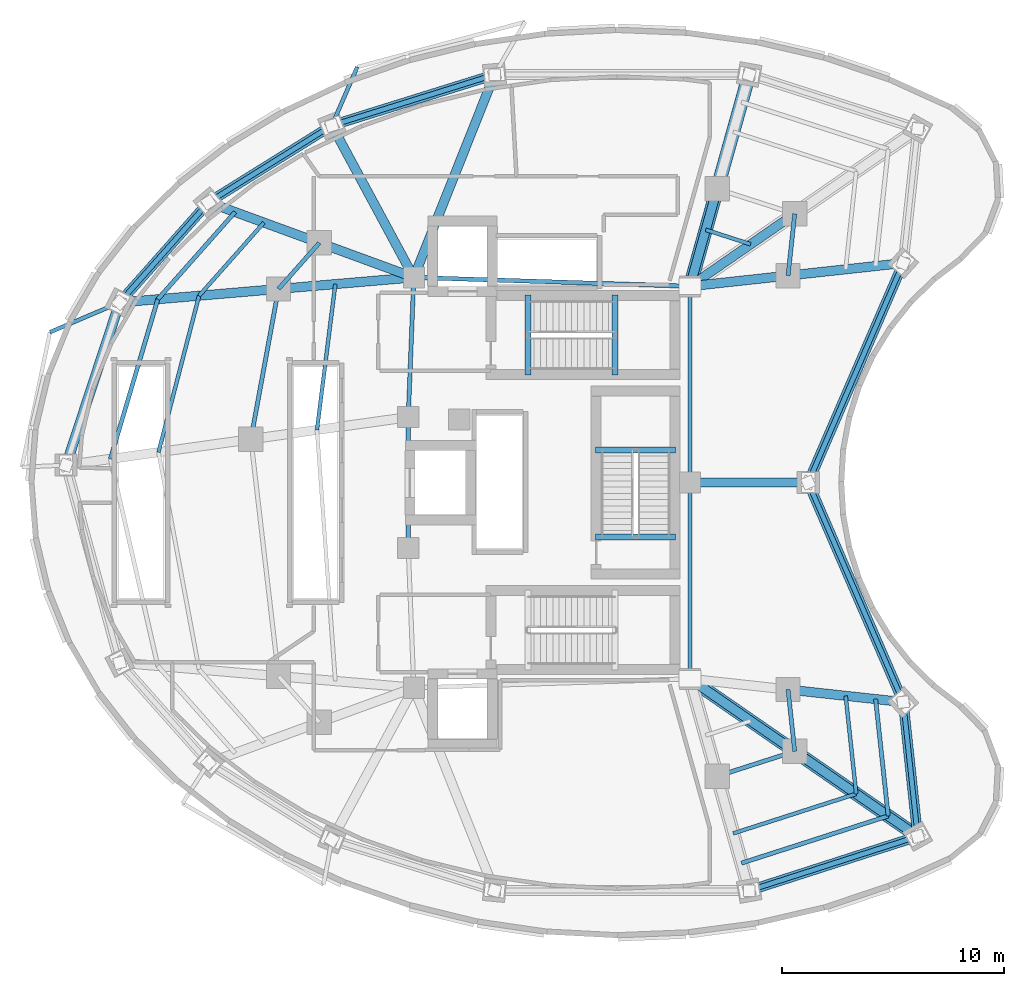
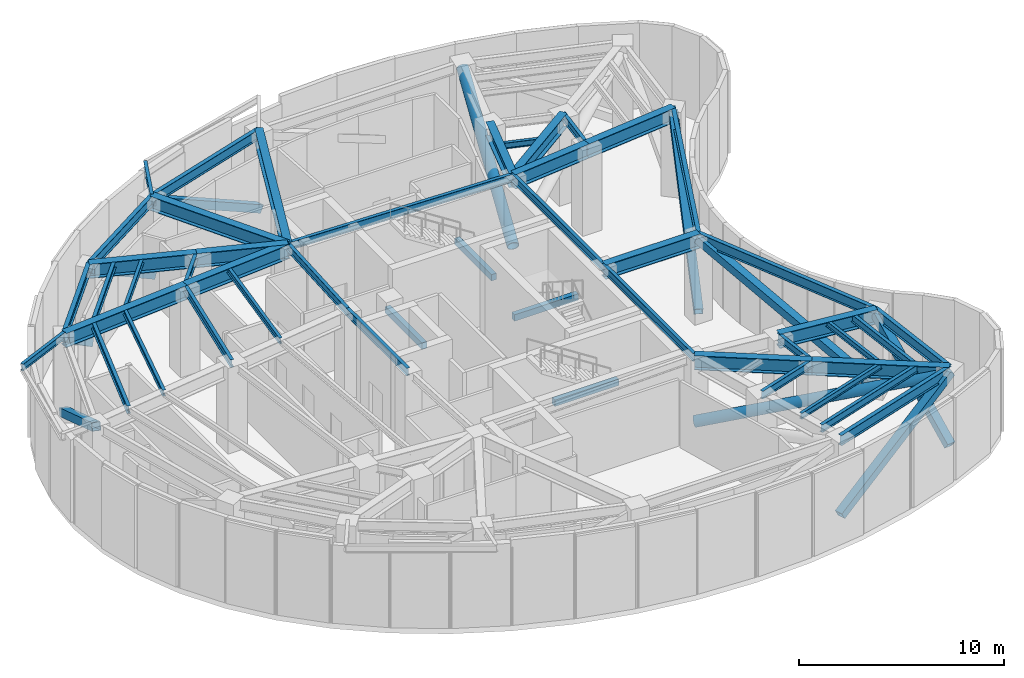
# One storey, part 2 of 10: 47 beams, 10 members.
"""IFC4 building model written with IfcOpenShell, lengths in metres."""

import ifcopenshell
import ifcopenshell.guid

model = None  # the IFC model being written
_history = None  # IfcOwnerHistory: only IFC2X3 demands one
_inside = {}  # id of a spatial element -> (the spatial element, [elements in it])
_under = {}  # id of a project, library or spatial element -> (it, [spatial elements below it])
_declared = {}  # id of a project -> (the project, [libraries it declares])
_typed = {}  # id of a type object -> (the type object, [elements of that type])
_made_of = {}  # id of a material, layer set ... -> (it, [elements and type objects made of it])


def new_model(schema):
    """Start an empty IFC model of exactly this schema.

    Asked for "IFC4X3", IfcOpenShell would pick the latest addendum, in which some entities
    have other attributes; the version numbers below select the first issue.
    IFC2X3 requires an IfcOwnerHistory on every rooted entity: one is made here for all.
    """
    global model, _history
    if schema == "IFC4X3":
        model = ifcopenshell.file(schema_version=(4, 3, 0, 0))
    else:
        model = ifcopenshell.file(schema=schema)
    _inside.clear()
    _under.clear()
    _declared.clear()
    _typed.clear()
    _made_of.clear()
    _history = None
    if model.schema == "IFC2X3":
        org = make("IfcOrganization", Name="unknown")
        user = make(
            "IfcPersonAndOrganization",
            ThePerson=make("IfcPerson", FamilyName="unknown"),
            TheOrganization=org,
        )
        app = make(
            "IfcApplication",
            ApplicationDeveloper=org,
            Version="unknown",
            ApplicationFullName="unknown",
            ApplicationIdentifier="unknown",
        )
        _history = make(
            "IfcOwnerHistory",
            OwningUser=user,
            OwningApplication=app,
            ChangeAction="ADDED",
            CreationDate=0,
        )
    return model


def make(cls, **values):
    """One entity of the class cls with the attributes given. An attribute that is None is left unset."""
    return model.create_entity(
        cls, **{name: value for name, value in values.items() if value is not None}
    )


def rooted(cls, **values):
    """An entity with a GlobalId (a new one), such as an element, a storey or a relation."""
    return make(cls, GlobalId=ifcopenshell.guid.new(), OwnerHistory=_history, **values)


def si_unit(unit_type, name, prefix=None):
    """IfcSIUnit, for example si_unit("LENGTHUNIT", "METRE", prefix="MILLI")."""
    return make("IfcSIUnit", UnitType=unit_type, Prefix=prefix, Name=name)


def assignment(units):
    """IfcUnitAssignment: the units of a project."""
    return None if units is None else make("IfcUnitAssignment", Units=units)


def point(xyz):
    """IfcCartesianPoint."""
    return None if xyz is None else make("IfcCartesianPoint", Coordinates=xyz)


def direction(xyz):
    """IfcDirection."""
    return None if xyz is None else make("IfcDirection", DirectionRatios=xyz)


def frame(location, z_axis=None, x_axis=None):
    """IfcAxis2Placement3D, a coordinate frame: its origin and axes. An axis left out is left unset."""
    return make(
        "IfcAxis2Placement3D",
        Location=point(location),
        Axis=direction(z_axis),
        RefDirection=direction(x_axis),
    )


def frame_2d(location, x_axis=None):
    """IfcAxis2Placement2D, a coordinate frame in the plane: its origin and x axis."""
    return make(
        "IfcAxis2Placement2D", Location=point(location), RefDirection=direction(x_axis)
    )


def origin():
    """The frame at (0, 0, 0) with its axes left unset."""
    return frame((0.0, 0.0, 0.0))


def origin_2d():
    """The frame at (0, 0) in the plane with its x axis left unset."""
    return frame_2d((0.0, 0.0))


def place(relative_to, where):
    """IfcLocalPlacement: puts the frame where relative to a parent placement (None: the world)."""
    return make(
        "IfcLocalPlacement", PlacementRelTo=relative_to, RelativePlacement=where
    )


def context(
    kind, dimensions, precision=None, world=None, true_north=None, identifier=None
):
    """IfcGeometricRepresentationContext, for example the 3D "Model" context."""
    return make(
        "IfcGeometricRepresentationContext",
        ContextIdentifier=identifier,
        ContextType=kind,
        CoordinateSpaceDimension=dimensions,
        Precision=precision,
        WorldCoordinateSystem=world,
        TrueNorth=true_north,
    )


def subcontext(parent, identifier, kind, view, scale=None):
    """IfcGeometricRepresentationSubContext, for example "Body" below "Model"."""
    return make(
        "IfcGeometricRepresentationSubContext",
        ContextIdentifier=identifier,
        ContextType=kind,
        ParentContext=parent,
        TargetScale=scale,
        TargetView=view,
    )


def project(units=None, contexts=None):
    """IfcProject with its units and contexts."""
    return rooted(
        "IfcProject",
        Name="project",
        RepresentationContexts=contexts,
        UnitsInContext=assignment(units),
    )


def spatial(cls, under=None, at=None, **own):
    """A site, building, storey or space (cls), placed at a placement, below another one or the project."""
    s = rooted(cls, ObjectPlacement=at, **own)
    if under is not None:
        _under.setdefault(under.id(), (under, []))[1].append(s)
    return s


def profile(cls, at=None, kind="AREA", **sizes):
    """A parametric profile (cls). Its sizes go by their IFC names, for example OverallWidth=200.0."""
    return make(cls, ProfileType=kind, Position=at, **sizes)


def rectangle(**sizes):
    """IfcRectangleProfileDef."""
    return profile("IfcRectangleProfileDef", **sizes)


def hollow_rectangle(**sizes):
    """IfcRectangleHollowProfileDef."""
    return profile("IfcRectangleHollowProfileDef", **sizes)


def hollow_circle(**sizes):
    """IfcCircleHollowProfileDef."""
    return profile("IfcCircleHollowProfileDef", **sizes)


def i_section(**sizes):
    """IfcIShapeProfileDef."""
    return profile("IfcIShapeProfileDef", **sizes)


def extrude(swept, where, along, depth):
    """IfcExtrudedAreaSolid: the profile swept, set in the frame where, extruded along a direction by depth."""
    return make(
        "IfcExtrudedAreaSolid",
        SweptArea=swept,
        Position=where,
        ExtrudedDirection=direction(along),
        Depth=depth,
    )


def shape(context_of_items, identifier, shape_type, items):
    """IfcShapeRepresentation: the items that make up one representation, for example the "Body"."""
    return make(
        "IfcShapeRepresentation",
        ContextOfItems=context_of_items,
        RepresentationIdentifier=identifier,
        RepresentationType=shape_type,
        Items=items,
    )


def material(Name=None, Category=None):
    """IfcMaterial."""
    return make("IfcMaterial", Name=Name, Category=Category)


def material_profile(
    of_material, cross_section, Name=None, Category=None, Priority=None
):
    """IfcMaterialProfile: a cross section and its material."""
    return make(
        "IfcMaterialProfile",
        Name=Name,
        Material=of_material,
        Profile=cross_section,
        Priority=Priority,
        Category=Category,
    )


def profile_set(profiles, Name=None, composite=None):
    """IfcMaterialProfileSet."""
    return make(
        "IfcMaterialProfileSet",
        Name=Name,
        MaterialProfiles=profiles,
        CompositeProfile=composite,
    )


def made_of(thing, what):
    """Note that an element or type object is made of a material, layer set ...; save() writes the relation."""
    if what is not None:
        _made_of.setdefault(what.id(), (what, []))[1].append(thing)
    return thing


def type_object(cls, material=None, **own):
    """A type object (cls), such as IfcWallType, which elements share."""
    return made_of(rooted(cls, **own), material)


def element(
    cls,
    number,
    at=None,
    inside=None,
    cuts=None,
    type_object=None,
    material=None,
    context=None,
    identifier="Body",
    shape_type=None,
    held_by="IfcProductDefinitionShape",
    body=None,
    shapes=None,
    **own,
):
    """One element of the class cls, such as IfcWall. Its Tag is "e" and its number.

    at: its placement. inside: the storey or other place that contains it. cuts: it is an
    opening in that element (IfcRelVoidsElement). A single representation is given by context,
    identifier, shape_type and body (its items); several are given by shapes. held_by: the class
    of the entity that holds the representations. save() writes the other relations.
    """
    e = rooted(cls, Tag="e%d" % number, ObjectPlacement=at, **own)
    if body is not None:
        shapes = [shape(context, identifier, shape_type, body)]
    if shapes is not None:
        e.Representation = make(held_by, Representations=shapes)
    if inside is not None:
        _inside.setdefault(inside.id(), (inside, []))[1].append(e)
    if cuts is not None:
        rooted(
            "IfcRelVoidsElement", RelatingBuildingElement=cuts, RelatedOpeningElement=e
        )
    if type_object is not None:
        _typed.setdefault(type_object.id(), (type_object, []))[1].append(e)
    return made_of(e, material)


def aggregate(whole, parts):
    """IfcRelAggregates: a whole, such as a stair, and the parts it consists of."""
    return rooted("IfcRelAggregates", RelatingObject=whole, RelatedObjects=parts)


def save(model, path):
    """Write the relations noted so far, then the file.

    IfcRelAggregates (storeys below a building ...), IfcRelContainedInSpatialStructure (elements
    in a storey), IfcRelDefinesByType, IfcRelAssociatesMaterial and IfcRelDeclares: one each for
    every whole, place, type object, material and project.
    """
    for whole, parts in _under.values():
        aggregate(whole, parts)
    for where, things in _inside.values():
        rooted(
            "IfcRelContainedInSpatialStructure",
            RelatedElements=things,
            RelatingStructure=where,
        )
    for kind, things in _typed.values():
        rooted("IfcRelDefinesByType", RelatedObjects=things, RelatingType=kind)
    for what, things in _made_of.values():
        rooted("IfcRelAssociatesMaterial", RelatedObjects=things, RelatingMaterial=what)
    for by, libraries in _declared.values():
        rooted("IfcRelDeclares", RelatingContext=by, RelatedDefinitions=libraries)
    model.write(path)


model = new_model("IFC4")

# Units and contexts
model_context = context("Model", 3, precision=1e-05, world=origin(), true_north=direction((0.0, 1.0)))
body_context = subcontext(model_context, "Body", "Model", "MODEL_VIEW")
ifc_project = project(units=[si_unit("LENGTHUNIT", "METRE"), si_unit("AREAUNIT", "SQUARE_METRE"), si_unit("VOLUMEUNIT", "CUBIC_METRE"), si_unit("PLANEANGLEUNIT", "RADIAN"), si_unit("MASSUNIT", "GRAM", prefix="KILO")], contexts=[model_context])

# Site, building, storey
site_placement = place(None, origin())
site = spatial("IfcSite", under=ifc_project, at=site_placement, CompositionType="ELEMENT")
building_placement = place(site_placement, origin())
building = spatial("IfcBuilding", under=site, at=building_placement, Name="Korentha Bioscience Tower", CompositionType="ELEMENT")
storey_placement = place(building_placement, frame((0.0, 0.0, 148.800048828125)))
storey = spatial("IfcBuildingStorey", under=building, at=storey_placement, Name="L34", CompositionType="ELEMENT", Elevation=148.800048828125)

# Members
ifc_material_1 = material(Name="Steel S355", Category="steel")
ifc_material_profile_1 = material_profile(ifc_material_1, hollow_rectangle(XDim=0.449951171875, YDim=0.449951171875, WallThickness=0.02490234375, at=origin_2d()), Name="Steel S355")
ifc_profile_set_1 = profile_set([ifc_material_profile_1], Name="Steel S355 (BT-D450)")
member_type_1 = type_object("IfcMemberType", Name="Belt-Truss Web Diagonal SHS 450x450x25", PredefinedType="BRACE", material=ifc_profile_set_1)
member_1_placement = place(storey_placement, frame((28.739501953125, 45.390380859375, 0.349853515625), z_axis=(-0.828385691146, -0.258387946939, 0.497003838599), x_axis=(0.29776829818, -0.954638172607, 0.0)))
element("IfcMember", 1, at=member_1_placement, inside=storey, type_object=member_type_1, Name="L34 Perimeter Belt-Truss Diagonal 03", PredefinedType="BRACE", context=body_context, shape_type="SweptSolid", body=[
    extrude(hollow_rectangle(XDim=0.449951171875, YDim=0.449951171875, WallThickness=0.02490234375, at=origin_2d()), origin(), (0.0, 0.0, 1.0), 8.853271484375),
])
member_2_placement = place(storey_placement, frame((21.405517578125, 43.102783203125, 0.349853515625), z_axis=(-0.704580802871, -0.439110344967, 0.55744775286), x_axis=(0.528913497876, -0.848675740059, 0.0)))
element("IfcMember", 2, at=member_2_placement, inside=storey, type_object=member_type_1, Name="L34 Perimeter Belt-Truss Diagonal 04", PredefinedType="BRACE", context=body_context, shape_type="SweptSolid", body=[
    extrude(hollow_rectangle(XDim=0.449951171875, YDim=0.449951171875, WallThickness=0.02490234375, at=origin_2d()), origin(), (0.0, 0.0, 1.0), 7.893310546875),
])
member_3_placement = place(storey_placement, frame((15.843994140625, 39.63671875, 0.349853515625), z_axis=(-0.536217544317, -0.604645817692, 0.588960253594), x_axis=(0.748174025782, -0.663502544942, 0.0)))
element("IfcMember", 3, at=member_3_placement, inside=storey, type_object=member_type_1, Name="L34 Perimeter Belt-Truss Diagonal 05", PredefinedType="BRACE", context=body_context, shape_type="SweptSolid", body=[
    extrude(hollow_rectangle(XDim=0.449951171875, YDim=0.449951171875, WallThickness=0.02490234375, at=origin_2d()), origin(), (0.0, 0.0, 1.0), 7.470947265625),
])
member_4_placement = place(storey_placement, frame((11.837890625, 35.119384765625, 0.349853515625), z_axis=(-0.271783517192, -0.825213109209, 0.495133359987), x_axis=(0.949812356506, -0.312820215824, 0.0)))
element("IfcMember", 4, at=member_4_placement, inside=storey, type_object=member_type_1, Name="L34 Perimeter Belt-Truss Diagonal 06", PredefinedType="BRACE", context=body_context, shape_type="SweptSolid", body=[
    extrude(hollow_rectangle(XDim=0.449951171875, YDim=0.449951171875, WallThickness=0.02490234375, at=origin_2d()), origin(), (0.0, 0.0, 1.0), 8.88671875),
])
member_5_placement = place(storey_placement, frame((40.22119140625, 8.60400390625, 0.349853515625), z_axis=(0.833745069806, 0.268049749707, 0.482719887986), x_axis=(-0.306071547228, 0.952008512555, 0.0)))
element("IfcMember", 5, at=member_5_placement, inside=storey, type_object=member_type_1, Name="L34 Perimeter Belt-Truss Diagonal 12", PredefinedType="BRACE", context=body_context, shape_type="SweptSolid", body=[
    extrude(hollow_rectangle(XDim=0.449951171875, YDim=0.449951171875, WallThickness=0.02490234375, at=origin_2d()), origin(), (0.0, 0.0, 1.0), 9.115234375),
])
member_6_placement = place(storey_placement, frame((47.821044921875, 11.04736328125, 0.349853515625), z_axis=(-0.086989210422, 0.805876884003, 0.585658027435), x_axis=(-0.994224517574, -0.10732012232, 0.0)))
element("IfcMember", 6, at=member_6_placement, inside=storey, type_object=member_type_1, Name="L34 Perimeter Belt-Truss Diagonal 13", PredefinedType="BRACE", context=body_context, shape_type="SweptSolid", body=[
    extrude(hollow_rectangle(XDim=0.449951171875, YDim=0.449951171875, WallThickness=0.02490234375, at=origin_2d()), origin(), (0.0, 0.0, 1.0), 7.51318359375),
])
for number, where, z_axis, x_axis, name in (
    (7, (47.16748046875, 17.10205078125, 0.349853515625), (-0.367900454019, 0.849687832222, 0.377729855462), (-0.917672847585, -0.397336815315, 0.0), "L34 Perimeter Belt-Truss Diagonal 14"),
    (8, (42.8818359375, 27.0, 0.349853515625), (0.367900454019, 0.849687832222, 0.377729855462), (-0.917672847585, 0.397336815315, 0.0), "L34 Perimeter Belt-Truss Diagonal 15"),
):
    element("IfcMember", number, at=place(storey_placement, frame(where, z_axis=z_axis, x_axis=x_axis)), inside=storey, type_object=member_type_1, Name=name, PredefinedType="BRACE", context=body_context, shape_type="SweptSolid", body=[
        extrude(hollow_rectangle(XDim=0.449951171875, YDim=0.449951171875, WallThickness=0.02490234375, at=origin_2d()), origin(), (0.0, 0.0, 1.0), 11.64892578125),
    ])

# Beams
ifc_material_2 = material(Name="Concrete C50", Category="concrete")
ifc_material_profile_2 = material_profile(ifc_material_2, rectangle(XDim=0.280029296875, YDim=0.3798828125, at=origin_2d()), Name="Concrete C50")
ifc_profile_set_2 = profile_set([ifc_material_profile_2], Name="Concrete C50 (ST-HB380)")
beam_type_1 = type_object("IfcBeamType", Name="Concrete Stair Header Beam RC 280x380", PredefinedType="BEAM", material=ifc_profile_set_2)
for number, where, z_axis, x_axis, name in (
    (9, (30.25, 31.85009765625, -0.18994140625), (0.0, 1.0, 0.0), (-1.0, 0.0, 0.0), "L34 ST-1 Concrete Stair Header Beam"),
    (10, (34.169921875, 31.85009765625, 2.510009765625), (0.0, 1.0, 0.0), (-1.0, 0.0, 0.0), "L34 ST-1 Half-Landing Header Beam 1"),
    (11, (36.89990234375, 24.550048828125, -0.18994140625), (-1.0, 0.0, 0.0), (0.0, -1.0, 0.0), "L34 ST-3 Concrete Stair Header Beam"),
    (12, (36.89990234375, 28.469970703125, 2.510009765625), (-1.0, 0.0, 0.0), (0.0, -1.0, 0.0), "L34 ST-3 Half-Landing Header Beam 1"),
):
    element("IfcBeam", number, at=place(storey_placement, frame(where, z_axis=z_axis, x_axis=x_axis)), inside=storey, type_object=beam_type_1, Name=name, PredefinedType="BEAM", context=body_context, shape_type="SweptSolid", body=[
        extrude(rectangle(XDim=0.280029296875, YDim=0.3798828125, at=origin_2d()), origin(), (0.0, 0.0, 1.0), 3.599853515625),
    ])
ifc_material_profile_3 = material_profile(ifc_material_1, i_section(OverallWidth=0.18994140625, OverallDepth=0.45703125, WebThickness=0.009033203125, FlangeThickness=0.014404296875, at=origin_2d()), Name="Steel S355")
ifc_profile_set_3 = profile_set([ifc_material_profile_3], Name="Steel S355 (MB-460)")
beam_type_2 = type_object("IfcBeamType", Name="Mid-Ring Tie Girder W460x74", PredefinedType="BEAM", material=ifc_profile_set_3)
beam_1_placement = place(storey_placement, frame((20.84228515625, 37.807861328125, 4.871337890625), z_axis=(-0.663512238321, -0.748165429299, 0.0), x_axis=(0.748165429299, -0.663512238321, 0.0)))
element("IfcBeam", 13, at=beam_1_placement, inside=storey, type_object=beam_type_2, Name="L34 Mid-Ring Tie Girder 05", PredefinedType="BEAM", context=body_context, shape_type="SweptSolid", body=[
    extrude(i_section(OverallWidth=0.18994140625, OverallDepth=0.45703125, WebThickness=0.009033203125, FlangeThickness=0.014404296875, at=origin_2d()), origin(), (0.0, 0.0, 1.0), 2.77734375),
])
beam_2_placement = place(storey_placement, frame((18.99951171875, 35.72998046875, 4.871337890625), z_axis=(-0.180880998363, -0.98350498953, 0.0), x_axis=(0.98350498953, -0.180880998363, 0.0)))
element("IfcBeam", 14, at=beam_2_placement, inside=storey, type_object=beam_type_2, Name="L34 Mid-Ring Tie Girder 06", PredefinedType="BEAM", context=body_context, shape_type="SweptSolid", body=[
    extrude(i_section(OverallWidth=0.18994140625, OverallDepth=0.45703125, WebThickness=0.009033203125, FlangeThickness=0.014404296875, at=origin_2d()), origin(), (0.0, 0.0, 1.0), 6.888916015625),
])
beam_3_placement = place(storey_placement, frame((38.77880859375, 13.7587890625, 4.871337890625), z_axis=(0.952000195343, 0.306097415976, 0.0), x_axis=(-0.306097415976, 0.952000195343, 0.0)))
element("IfcBeam", 15, at=beam_3_placement, inside=storey, type_object=beam_type_2, Name="L34 Mid-Ring Tie Girder 12", PredefinedType="BEAM", context=body_context, shape_type="SweptSolid", body=[
    extrude(i_section(OverallWidth=0.18994140625, OverallDepth=0.45703125, WebThickness=0.009033203125, FlangeThickness=0.014404296875, at=origin_2d()), origin(), (0.0, 0.0, 1.0), 3.672119140625),
])
for number, where, z_axis, x_axis, name in (
    (16, (42.274658203125, 14.8828125, 4.871337890625), (-0.107283940056, 0.99422842255, 0.0), (-0.99422842255, -0.107283940056, 0.0), "L34 Mid-Ring Tie Girder 13"),
    (17, (41.97412109375, 36.33203125, 4.871337890625), (0.107283940056, 0.99422842255, 0.0), (-0.99422842255, 0.107283940056, 0.0), "L34 Mid-Ring Tie Girder 16"),
):
    element("IfcBeam", number, at=place(storey_placement, frame(where, z_axis=z_axis, x_axis=x_axis)), inside=storey, type_object=beam_type_2, Name=name, PredefinedType="BEAM", context=body_context, shape_type="SweptSolid", body=[
        extrude(i_section(OverallWidth=0.18994140625, OverallDepth=0.45703125, WebThickness=0.009033203125, FlangeThickness=0.014404296875, at=origin_2d()), origin(), (0.0, 0.0, 1.0), 2.80126953125),
    ])
beam_4_placement = place(storey_placement, frame((37.550048828125, 35.85009765625, 4.871337890625), z_axis=(-0.999484526071, 0.032104238723, 0.0), x_axis=(-0.032104238723, -0.999484526071, 0.0)))
element("IfcBeam", 18, at=beam_4_placement, inside=storey, type_object=beam_type_2, Name="L34 Core Ring Tie Girder 01", PredefinedType="BEAM", context=body_context, shape_type="SweptSolid", body=[
    extrude(i_section(OverallWidth=0.18994140625, OverallDepth=0.45703125, WebThickness=0.009033203125, FlangeThickness=0.014404296875, at=origin_2d()), origin(), (0.0, 0.0, 1.0), 12.456298828125),
])
beam_5_placement = place(storey_placement, frame((25.10009765625, 36.25, 4.871337890625), z_axis=(-0.039651025576, -0.999213588864, 0.0), x_axis=(0.999213588864, -0.039651025576, 0.0)))
element("IfcBeam", 19, at=beam_5_placement, inside=storey, type_object=beam_type_2, Name="L34 Core Ring Tie Girder 02", PredefinedType="BEAM", context=body_context, shape_type="SweptSolid", body=[
    extrude(i_section(OverallWidth=0.18994140625, OverallDepth=0.45703125, WebThickness=0.009033203125, FlangeThickness=0.014404296875, at=origin_2d()), origin(), (0.0, 0.0, 1.0), 6.304931640625),
])
beam_6_placement = place(storey_placement, frame((24.85009765625, 29.949951171875, 4.871337890625), z_axis=(0.0, -1.0, 0.0), x_axis=(1.0, 0.0, 0.0)))
element("IfcBeam", 20, at=beam_6_placement, inside=storey, type_object=beam_type_2, Name="L34 Core Ring Tie Girder 03", PredefinedType="BEAM", context=body_context, shape_type="SweptSolid", body=[
    extrude(i_section(OverallWidth=0.18994140625, OverallDepth=0.45703125, WebThickness=0.009033203125, FlangeThickness=0.014404296875, at=origin_2d()), origin(), (0.0, 0.0, 1.0), 5.89990234375),
])
for number, where, z_axis, x_axis, name in (
    (21, (37.550048828125, 18.14990234375, 4.871337890625), (0.0, 1.0, 0.0), (-1.0, 0.0, 0.0), "L34 Core Ring Tie Girder 06"),
    (22, (37.550048828125, 27.0, 4.871337890625), (0.0, 1.0, 0.0), (-1.0, 0.0, 0.0), "L34 Core Ring Tie Girder 07"),
):
    element("IfcBeam", number, at=place(storey_placement, frame(where, z_axis=z_axis, x_axis=x_axis)), inside=storey, type_object=beam_type_2, Name=name, PredefinedType="BEAM", context=body_context, shape_type="SweptSolid", body=[
        extrude(i_section(OverallWidth=0.18994140625, OverallDepth=0.45703125, WebThickness=0.009033203125, FlangeThickness=0.014404296875, at=origin_2d()), origin(), (0.0, 0.0, 1.0), 8.85009765625),
    ])

# Members
ifc_material_profile_4 = material_profile(ifc_material_1, hollow_circle(Radius=0.304931640625, WallThickness=0.030029296875, at=origin_2d()), Name="Steel S355")
ifc_profile_set_4 = profile_set([ifc_material_profile_4], Name="Steel S355 (OU-610)")
member_type_2 = type_object("IfcMemberType", Name="Outrigger Diagonal Brace CHS 610x30", PredefinedType="USERDEFINED", material=ifc_profile_set_4)
member_7_placement = place(storey_placement, frame((37.550048828125, 35.85009765625, 0.75), z_axis=(0.250760755852, 0.89614711213, 0.366113912255), x_axis=(-0.963008770525, 0.269470050085, 0.0)))
element("IfcMember", 23, at=member_7_placement, inside=storey, type_object=member_type_2, Name="L34 Outrigger Truss Diagonal 02", ObjectType="OUTRIGGER", PredefinedType="USERDEFINED", context=body_context, shape_type="SweptSolid", body=[
    extrude(hollow_circle(Radius=0.304931640625, WallThickness=0.030029296875, at=origin_2d()), origin(), (0.0, 0.0, 1.0), 10.652099609375),
])
member_8_placement = place(storey_placement, frame((37.550048828125, 18.14990234375, 1.050048828125), z_axis=(0.790314296897, -0.546513513795, 0.276995110714), x_axis=(0.568768676895, 0.822497533238, 0.0)))
element("IfcMember", 24, at=member_8_placement, inside=storey, type_object=member_type_2, Name="L34 Outrigger Truss Diagonal 04", ObjectType="OUTRIGGER", PredefinedType="USERDEFINED", context=body_context, shape_type="SweptSolid", body=[
    extrude(hollow_circle(Radius=0.304931640625, WallThickness=0.030029296875, at=origin_2d()), origin(), (0.0, 0.0, 1.0), 12.99609375),
])

# Beams
ifc_material_profile_5 = material_profile(ifc_material_1, i_section(OverallWidth=0.22802734375, OverallDepth=0.60791015625, WebThickness=0.01123046875, FlangeThickness=0.017333984375, at=origin_2d()), Name="Steel S355")
ifc_profile_set_5 = profile_set([ifc_material_profile_5], Name="Steel S355 (SB-610)")
beam_type_3 = type_object("IfcBeamType", Name="Perimeter Ring Spandrel Girder W610x113", PredefinedType="SPANDREL", material=ifc_profile_set_5)
beam_7_placement = place(storey_placement, frame((28.739501953125, 45.390380859375, 4.7958984375), z_axis=(-0.954638172607, -0.29776829818, 0.0), x_axis=(0.29776829818, -0.954638172607, 0.0)))
element("IfcBeam", 25, at=beam_7_placement, inside=storey, type_object=beam_type_3, Name="L34 Perimeter Spandrel Girder 03", PredefinedType="SPANDREL", context=body_context, shape_type="SweptSolid", body=[
    extrude(i_section(OverallWidth=0.22802734375, OverallDepth=0.60791015625, WebThickness=0.01123046875, FlangeThickness=0.017333984375, at=origin_2d()), origin(), (0.0, 0.0, 1.0), 7.682373046875),
])
beam_8_placement = place(storey_placement, frame((21.405517578125, 43.102783203125, 4.7958984375), z_axis=(-0.848675740059, -0.528913497876, 0.0), x_axis=(0.528913497876, -0.848675740059, 0.0)))
element("IfcBeam", 26, at=beam_8_placement, inside=storey, type_object=beam_type_3, Name="L34 Perimeter Spandrel Girder 04", PredefinedType="SPANDREL", context=body_context, shape_type="SweptSolid", body=[
    extrude(i_section(OverallWidth=0.22802734375, OverallDepth=0.60791015625, WebThickness=0.01123046875, FlangeThickness=0.017333984375, at=origin_2d()), origin(), (0.0, 0.0, 1.0), 6.55322265625),
])
beam_9_placement = place(storey_placement, frame((15.843994140625, 39.63671875, 4.7958984375), z_axis=(-0.663502544942, -0.748174025782, 0.0), x_axis=(0.748174025782, -0.663502544942, 0.0)))
element("IfcBeam", 27, at=beam_9_placement, inside=storey, type_object=beam_type_3, Name="L34 Perimeter Spandrel Girder 05", PredefinedType="SPANDREL", context=body_context, shape_type="SweptSolid", body=[
    extrude(i_section(OverallWidth=0.22802734375, OverallDepth=0.60791015625, WebThickness=0.01123046875, FlangeThickness=0.017333984375, at=origin_2d()), origin(), (0.0, 0.0, 1.0), 6.037841796875),
])
beam_10_placement = place(storey_placement, frame((40.22119140625, 8.60400390625, 4.7958984375), z_axis=(0.952008512555, 0.306071547228, 0.0), x_axis=(-0.306071547228, 0.952008512555, 0.0)))
element("IfcBeam", 28, at=beam_10_placement, inside=storey, type_object=beam_type_3, Name="L34 Perimeter Spandrel Girder 12", PredefinedType="SPANDREL", context=body_context, shape_type="SweptSolid", body=[
    extrude(i_section(OverallWidth=0.22802734375, OverallDepth=0.60791015625, WebThickness=0.01123046875, FlangeThickness=0.017333984375, at=origin_2d()), origin(), (0.0, 0.0, 1.0), 7.98291015625),
])
beam_11_placement = place(storey_placement, frame((47.821044921875, 11.04736328125, 4.7958984375), z_axis=(-0.10732012232, 0.994224517574, 0.0), x_axis=(-0.994224517574, -0.10732012232, 0.0)))
element("IfcBeam", 29, at=beam_11_placement, inside=storey, type_object=beam_type_3, Name="L34 Perimeter Spandrel Girder 13", PredefinedType="SPANDREL", context=body_context, shape_type="SweptSolid", body=[
    extrude(i_section(OverallWidth=0.22802734375, OverallDepth=0.60791015625, WebThickness=0.01123046875, FlangeThickness=0.017333984375, at=origin_2d()), origin(), (0.0, 0.0, 1.0), 6.08984375),
])
for number, where, z_axis, x_axis, name in (
    (30, (47.16748046875, 17.10205078125, 4.7958984375), (-0.397336815315, 0.917672847585, 0.0), (-0.917672847585, -0.397336815315, 0.0), "L34 Perimeter Spandrel Girder 14"),
    (31, (42.8818359375, 27.0, 4.7958984375), (0.397336815315, 0.917672847585, 0.0), (-0.917672847585, 0.397336815315, 0.0), "L34 Perimeter Spandrel Girder 15"),
):
    element("IfcBeam", number, at=place(storey_placement, frame(where, z_axis=z_axis, x_axis=x_axis)), inside=storey, type_object=beam_type_3, Name=name, PredefinedType="SPANDREL", context=body_context, shape_type="SweptSolid", body=[
        extrude(i_section(OverallWidth=0.22802734375, OverallDepth=0.60791015625, WebThickness=0.01123046875, FlangeThickness=0.017333984375, at=origin_2d()), origin(), (0.0, 0.0, 1.0), 10.785888671875),
    ])
ifc_material_profile_6 = material_profile(ifc_material_1, i_section(OverallWidth=0.419921875, OverallDepth=0.85009765625, WebThickness=0.01806640625, FlangeThickness=0.031982421875, at=origin_2d()), Name="Steel S355")
ifc_profile_set_6 = profile_set([ifc_material_profile_6], Name="Steel S355 (MB-850)")
beam_type_4 = type_object("IfcBeamType", Name="Plant Heavy Girder CVS 850x315", PredefinedType="BEAM", material=ifc_profile_set_6)
beam_12_placement = place(storey_placement, frame((37.550048828125, 35.85009765625, 4.675048828125), z_axis=(0.822501145898, 0.568763452584, 0.0), x_axis=(-0.568763452584, 0.822501145898, 0.0)))
element("IfcBeam", 32, at=beam_12_placement, inside=storey, type_object=beam_type_4, Name="L34 Inner Radial Girder 01", PredefinedType="BEAM", context=body_context, shape_type="SweptSolid", body=[
    extrude(i_section(OverallWidth=0.419921875, OverallDepth=0.85009765625, WebThickness=0.01806640625, FlangeThickness=0.031982421875, at=origin_2d()), origin(), (0.0, 0.0, 1.0), 5.744140625),
])
beam_13_placement = place(storey_placement, frame((37.550048828125, 35.85009765625, 4.675048828125), z_axis=(0.269477001654, 0.963006825303, 0.0), x_axis=(-0.963006825303, 0.269477001654, 0.0)))
element("IfcBeam", 33, at=beam_13_placement, inside=storey, type_object=beam_type_4, Name="L34 Inner Radial Girder 02", PredefinedType="BEAM", context=body_context, shape_type="SweptSolid", body=[
    extrude(i_section(OverallWidth=0.419921875, OverallDepth=0.85009765625, WebThickness=0.01806640625, FlangeThickness=0.031982421875, at=origin_2d()), origin(), (0.0, 0.0, 1.0), 4.559814453125),
])
beam_14_placement = place(storey_placement, frame((25.10009765625, 36.25, 4.675048828125), z_axis=(0.369922682955, 0.929062542909, 0.0), x_axis=(-0.929062542909, 0.369922682955, 0.0)))
element("IfcBeam", 34, at=beam_14_placement, inside=storey, type_object=beam_type_4, Name="L34 Radial Girder 03", PredefinedType="BEAM", context=body_context, shape_type="SweptSolid", body=[
    extrude(i_section(OverallWidth=0.419921875, OverallDepth=0.85009765625, WebThickness=0.01806640625, FlangeThickness=0.031982421875, at=origin_2d()), origin(), (0.0, 0.0, 1.0), 9.83837890625),
])
beam_15_placement = place(storey_placement, frame((25.10009765625, 36.25, 4.675048828125), z_axis=(-0.474559790141, 0.880223270302, 0.0), x_axis=(-0.880223270302, -0.474559790141, 0.0)))
element("IfcBeam", 35, at=beam_15_placement, inside=storey, type_object=beam_type_4, Name="L34 Radial Girder 04", PredefinedType="BEAM", context=body_context, shape_type="SweptSolid", body=[
    extrude(i_section(OverallWidth=0.419921875, OverallDepth=0.85009765625, WebThickness=0.01806640625, FlangeThickness=0.031982421875, at=origin_2d()), origin(), (0.0, 0.0, 1.0), 7.785400390625),
])
beam_16_placement = place(storey_placement, frame((25.10009765625, 36.25, 4.675048828125), z_axis=(-0.939113952431, 0.343605856105, 0.0), x_axis=(-0.343605856105, -0.939113952431, 0.0)))
element("IfcBeam", 36, at=beam_16_placement, inside=storey, type_object=beam_type_4, Name="L34 Inner Radial Girder 05", PredefinedType="BEAM", context=body_context, shape_type="SweptSolid", body=[
    extrude(i_section(OverallWidth=0.419921875, OverallDepth=0.85009765625, WebThickness=0.01806640625, FlangeThickness=0.031982421875, at=origin_2d()), origin(), (0.0, 0.0, 1.0), 4.533935546875),
])
beam_17_placement = place(storey_placement, frame((20.84228515625, 37.807861328125, 4.675048828125), z_axis=(-0.939109855566, 0.343617053097, 0.0), x_axis=(-0.343617053097, -0.939109855566, 0.0)))
element("IfcBeam", 37, at=beam_17_placement, inside=storey, type_object=beam_type_4, Name="L34 Outer Radial Girder 05", PredefinedType="BEAM", context=body_context, shape_type="SweptSolid", body=[
    extrude(i_section(OverallWidth=0.419921875, OverallDepth=0.85009765625, WebThickness=0.01806640625, FlangeThickness=0.031982421875, at=origin_2d()), origin(), (0.0, 0.0, 1.0), 5.322265625),
])
beam_18_placement = place(storey_placement, frame((25.10009765625, 36.25, 4.675048828125), z_axis=(-0.996386672138, -0.084932912264, 0.0), x_axis=(0.084932912264, -0.996386672138, 0.0)))
element("IfcBeam", 38, at=beam_18_placement, inside=storey, type_object=beam_type_4, Name="L34 Inner Radial Girder 06", PredefinedType="BEAM", context=body_context, shape_type="SweptSolid", body=[
    extrude(i_section(OverallWidth=0.419921875, OverallDepth=0.85009765625, WebThickness=0.01806640625, FlangeThickness=0.031982421875, at=origin_2d()), origin(), (0.0, 0.0, 1.0), 6.122802734375),
])
beam_19_placement = place(storey_placement, frame((18.99951171875, 35.72998046875, 4.675048828125), z_axis=(-0.996385111181, -0.084951222577, 0.0), x_axis=(0.084951222577, -0.996385111181, 0.0)))
element("IfcBeam", 39, at=beam_19_placement, inside=storey, type_object=beam_type_4, Name="L34 Outer Radial Girder 06", PredefinedType="BEAM", context=body_context, shape_type="SweptSolid", body=[
    extrude(i_section(OverallWidth=0.419921875, OverallDepth=0.85009765625, WebThickness=0.01806640625, FlangeThickness=0.031982421875, at=origin_2d()), origin(), (0.0, 0.0, 1.0), 7.1875),
])
beam_20_placement = place(storey_placement, frame((37.550048828125, 18.14990234375, 4.675048828125), z_axis=(0.822501145898, -0.568763452584, 0.0), x_axis=(0.568763452584, 0.822501145898, 0.0)))
element("IfcBeam", 40, at=beam_20_placement, inside=storey, type_object=beam_type_4, Name="L34 Inner Radial Girder 13", PredefinedType="BEAM", context=body_context, shape_type="SweptSolid", body=[
    extrude(i_section(OverallWidth=0.419921875, OverallDepth=0.85009765625, WebThickness=0.01806640625, FlangeThickness=0.031982421875, at=origin_2d()), origin(), (0.0, 0.0, 1.0), 5.744140625),
])
beam_21_placement = place(storey_placement, frame((42.274658203125, 14.8828125, 4.675048828125), z_axis=(0.822494455845, -0.568773127094, 0.0), x_axis=(0.568773127094, 0.822494455845, 0.0)))
element("IfcBeam", 41, at=beam_21_placement, inside=storey, type_object=beam_type_4, Name="L34 Outer Radial Girder 13", PredefinedType="BEAM", context=body_context, shape_type="SweptSolid", body=[
    extrude(i_section(OverallWidth=0.419921875, OverallDepth=0.85009765625, WebThickness=0.01806640625, FlangeThickness=0.031982421875, at=origin_2d()), origin(), (0.0, 0.0, 1.0), 6.743408203125),
])
beam_22_placement = place(storey_placement, frame((41.97412109375, 17.66796875, 4.675048828125), z_axis=(0.994115177281, -0.108328271011, 0.0), x_axis=(0.108328271011, 0.994115177281, 0.0)))
element("IfcBeam", 42, at=beam_22_placement, inside=storey, type_object=beam_type_4, Name="L34 Outer Radial Girder 14", PredefinedType="BEAM", context=body_context, shape_type="SweptSolid", body=[
    extrude(i_section(OverallWidth=0.419921875, OverallDepth=0.85009765625, WebThickness=0.01806640625, FlangeThickness=0.031982421875, at=origin_2d()), origin(), (0.0, 0.0, 1.0), 5.22412109375),
])
beam_23_placement = place(storey_placement, frame((37.550048828125, 27.0, 4.675048828125), z_axis=(1.0, 0.0, 0.0), x_axis=(0.0, 1.0, 0.0)))
element("IfcBeam", 43, at=beam_23_placement, inside=storey, type_object=beam_type_4, Name="L34 Radial Girder 15", PredefinedType="BEAM", context=body_context, shape_type="SweptSolid", body=[
    extrude(i_section(OverallWidth=0.419921875, OverallDepth=0.85009765625, WebThickness=0.01806640625, FlangeThickness=0.031982421875, at=origin_2d()), origin(), (0.0, 0.0, 1.0), 5.331787109375),
])
beam_24_placement = place(storey_placement, frame((37.550048828125, 35.85009765625, 4.675048828125), z_axis=(0.994118939953, 0.108293735857, 0.0), x_axis=(-0.108293735857, 0.994118939953, 0.0)))
element("IfcBeam", 44, at=beam_24_placement, inside=storey, type_object=beam_type_4, Name="L34 Inner Radial Girder 16", PredefinedType="BEAM", context=body_context, shape_type="SweptSolid", body=[
    extrude(i_section(OverallWidth=0.419921875, OverallDepth=0.85009765625, WebThickness=0.01806640625, FlangeThickness=0.031982421875, at=origin_2d()), origin(), (0.0, 0.0, 1.0), 4.4501953125),
])
beam_25_placement = place(storey_placement, frame((41.97412109375, 36.33203125, 4.675048828125), z_axis=(0.994115177281, 0.108328271011, 0.0), x_axis=(-0.108328271011, 0.994115177281, 0.0)))
element("IfcBeam", 45, at=beam_25_placement, inside=storey, type_object=beam_type_4, Name="L34 Outer Radial Girder 16", PredefinedType="BEAM", context=body_context, shape_type="SweptSolid", body=[
    extrude(i_section(OverallWidth=0.419921875, OverallDepth=0.85009765625, WebThickness=0.01806640625, FlangeThickness=0.031982421875, at=origin_2d()), origin(), (0.0, 0.0, 1.0), 5.22412109375),
])
ifc_material_profile_7 = material_profile(ifc_material_1, i_section(OverallWidth=0.18994140625, OverallDepth=0.45703125, WebThickness=0.009033203125, FlangeThickness=0.014404296875, at=origin_2d()), Name="Steel S355")
ifc_profile_set_7 = profile_set([ifc_material_profile_7], Name="Steel S355 (RB-460)")
beam_type_5 = type_object("IfcBeamType", Name="Radial Laboratory Beam W460x74", PredefinedType="BEAM", material=ifc_profile_set_7)
beam_26_placement = place(storey_placement, frame((17.043701171875, 39.197998046875, 4.871337890625), z_axis=(-0.663495511182, -0.748180263467, 0.0), x_axis=(0.748180263467, -0.663495511182, 0.0)))
element("IfcBeam", 46, at=beam_26_placement, inside=storey, type_object=beam_type_5, Name="L34 Secondary Floor Beam JSTO-05", PredefinedType="BEAM", context=body_context, shape_type="SweptSolid", body=[
    extrude(i_section(OverallWidth=0.18994140625, OverallDepth=0.45703125, WebThickness=0.009033203125, FlangeThickness=0.014404296875, at=origin_2d()), origin(), (0.0, 0.0, 1.0), 5.255615234375),
])
beam_27_placement = place(storey_placement, frame((13.556640625, 35.265869140625, 4.871337890625), z_axis=(-0.284283148615, -0.958740367051, 0.0), x_axis=(0.958740367051, -0.284283148615, 0.0)))
element("IfcBeam", 47, at=beam_27_placement, inside=storey, type_object=beam_type_5, Name="L34 Secondary Floor Beam JSTO-06", PredefinedType="BEAM", context=body_context, shape_type="SweptSolid", body=[
    extrude(i_section(OverallWidth=0.18994140625, OverallDepth=0.45703125, WebThickness=0.009033203125, FlangeThickness=0.014404296875, at=origin_2d()), origin(), (0.0, 0.0, 1.0), 7.50927734375),
])
beam_28_placement = place(storey_placement, frame((39.875, 9.84130859375, 4.871337890625), z_axis=(0.952009183817, 0.306069459318, 0.0), x_axis=(-0.306069459318, 0.952009183817, 0.0)))
element("IfcBeam", 48, at=beam_28_placement, inside=storey, type_object=beam_type_5, Name="L34 Secondary Floor Beam JSTO-12", PredefinedType="BEAM", context=body_context, shape_type="SweptSolid", body=[
    extrude(i_section(OverallWidth=0.18994140625, OverallDepth=0.45703125, WebThickness=0.009033203125, FlangeThickness=0.014404296875, at=origin_2d()), origin(), (0.0, 0.0, 1.0), 6.948486328125),
])
beam_29_placement = place(storey_placement, frame((46.489990234375, 11.968017578125, 4.871337890625), z_axis=(-0.107321875607, 0.994224328316, 0.0), x_axis=(-0.994224328316, -0.107321875607, 0.0)))
element("IfcBeam", 49, at=beam_29_placement, inside=storey, type_object=beam_type_5, Name="L34 Secondary Floor Beam JSTO-13", PredefinedType="BEAM", context=body_context, shape_type="SweptSolid", body=[
    extrude(i_section(OverallWidth=0.18994140625, OverallDepth=0.45703125, WebThickness=0.009033203125, FlangeThickness=0.014404296875, at=origin_2d()), origin(), (0.0, 0.0, 1.0), 5.30029296875),
])
ifc_material_profile_8 = material_profile(ifc_material_1, i_section(OverallWidth=0.1708984375, OverallDepth=0.35498046875, WebThickness=0.007080078125, FlangeThickness=0.01171875, at=origin_2d()), Name="Steel S355")
ifc_profile_set_8 = profile_set([ifc_material_profile_8], Name="Steel S355 (JB-360)")
beam_type_6 = type_object("IfcBeamType", Name="Secondary Laboratory Joist W360x51", PredefinedType="JOIST", material=ifc_profile_set_8)
beam_30_placement = place(storey_placement, frame((40.290283203125, 37.7451171875, 4.92236328125), z_axis=(-0.952010669267, 0.306064838885, 0.0), x_axis=(-0.306064838885, -0.952010669267, 0.0)))
element("IfcBeam", 50, at=beam_30_placement, inside=storey, type_object=beam_type_6, Name="L34 Inner Bay Joist 01", PredefinedType="JOIST", context=body_context, shape_type="SweptSolid", body=[
    extrude(i_section(OverallWidth=0.1708984375, OverallDepth=0.35498046875, WebThickness=0.007080078125, FlangeThickness=0.01171875, at=origin_2d()), origin(), (0.0, 0.0, 1.0), 2.1298828125),
])
beam_31_placement = place(storey_placement, frame((18.343017578125, 38.722412109375, 4.92236328125), z_axis=(-0.663462598754, -0.748209449322, 0.0), x_axis=(0.748209449322, -0.663462598754, 0.0)))
element("IfcBeam", 51, at=beam_31_placement, inside=storey, type_object=beam_type_6, Name="L34 Secondary Floor Beam JST-05", PredefinedType="JOIST", context=body_context, shape_type="SweptSolid", body=[
    extrude(i_section(OverallWidth=0.1708984375, OverallDepth=0.35498046875, WebThickness=0.007080078125, FlangeThickness=0.01171875, at=origin_2d()), origin(), (0.0, 0.0, 1.0), 4.40771484375),
])
beam_32_placement = place(storey_placement, frame((15.418701171875, 35.424560546875, 4.92236328125), z_axis=(-0.251203958933, -0.967934177006, 0.0), x_axis=(0.967934177006, -0.251203958933, 0.0)))
element("IfcBeam", 52, at=beam_32_placement, inside=storey, type_object=beam_type_6, Name="L34 Secondary Floor Beam JST-06", PredefinedType="JOIST", context=body_context, shape_type="SweptSolid", body=[
    extrude(i_section(OverallWidth=0.1708984375, OverallDepth=0.35498046875, WebThickness=0.007080078125, FlangeThickness=0.01171875, at=origin_2d()), origin(), (0.0, 0.0, 1.0), 7.2880859375),
])
beam_33_placement = place(storey_placement, frame((21.561767578125, 35.9482421875, 4.92236328125), z_axis=(-0.124914239886, -0.992167542643, 0.0), x_axis=(0.992167542643, -0.124914239886, 0.0)))
element("IfcBeam", 53, at=beam_33_placement, inside=storey, type_object=beam_type_6, Name="L34 Inner Bay Joist 06", PredefinedType="JOIST", context=body_context, shape_type="SweptSolid", body=[
    extrude(i_section(OverallWidth=0.1708984375, OverallDepth=0.35498046875, WebThickness=0.007080078125, FlangeThickness=0.01171875, at=origin_2d()), origin(), (0.0, 0.0, 1.0), 6.627685546875),
])
beam_34_placement = place(storey_placement, frame((39.5, 11.181396484375, 4.92236328125), z_axis=(0.952005892166, 0.306079697596, 0.0), x_axis=(-0.306079697596, 0.952005892166, 0.0)))
element("IfcBeam", 54, at=beam_34_placement, inside=storey, type_object=beam_type_6, Name="L34 Secondary Floor Beam JST-12", PredefinedType="JOIST", context=body_context, shape_type="SweptSolid", body=[
    extrude(i_section(OverallWidth=0.1708984375, OverallDepth=0.35498046875, WebThickness=0.007080078125, FlangeThickness=0.01171875, at=origin_2d()), origin(), (0.0, 0.0, 1.0), 5.82763671875),
])
beam_35_placement = place(storey_placement, frame((45.0478515625, 12.965087890625, 4.92236328125), z_axis=(-0.107308722475, 0.994225748048, 0.0), x_axis=(-0.994225748048, -0.107308722475, 0.0)))
element("IfcBeam", 55, at=beam_35_placement, inside=storey, type_object=beam_type_6, Name="L34 Secondary Floor Beam JST-13", PredefinedType="JOIST", context=body_context, shape_type="SweptSolid", body=[
    extrude(i_section(OverallWidth=0.1708984375, OverallDepth=0.35498046875, WebThickness=0.007080078125, FlangeThickness=0.01171875, at=origin_2d()), origin(), (0.0, 0.0, 1.0), 4.445556640625),
])
ifc_material_profile_9 = material_profile(ifc_material_1, i_section(OverallWidth=0.177978515625, OverallDepth=0.406982421875, WebThickness=0.0078125, FlangeThickness=0.0126953125, at=origin_2d()), Name="Steel S355")
ifc_profile_set_9 = profile_set([ifc_material_profile_9], Name="Steel S355 (CB-410)")
beam_type_7 = type_object("IfcBeamType", Name="Sun-Ledge Cantilever Beam W410x60", PredefinedType="BEAM", material=ifc_profile_set_9)
beam_36_placement = place(storey_placement, frame((21.405517578125, 43.102783203125, 4.8984375), z_axis=(0.398775835051, 0.917048435678, 0.0), x_axis=(-0.917048435678, 0.398775835051, 0.0)))
element("IfcBeam", 56, at=beam_36_placement, inside=storey, type_object=beam_type_7, Name="L34 Balcony Cantilever Bracket B-L35-01", PredefinedType="BEAM", context=body_context, shape_type="SweptSolid", body=[
    extrude(i_section(OverallWidth=0.177978515625, OverallDepth=0.406982421875, WebThickness=0.0078125, FlangeThickness=0.0126953125, at=origin_2d()), origin(), (0.0, 0.0, 1.0), 2.87255859375),
])
beam_37_placement = place(storey_placement, frame((11.837890625, 35.119384765625, 4.8984375), z_axis=(-0.920106971174, -0.391667156648, 0.0), x_axis=(0.391667156648, -0.920106971174, 0.0)))
element("IfcBeam", 57, at=beam_37_placement, inside=storey, type_object=beam_type_7, Name="L34 Balcony Cantilever Bracket A-L35-02", PredefinedType="BEAM", context=body_context, shape_type="SweptSolid", body=[
    extrude(i_section(OverallWidth=0.177978515625, OverallDepth=0.406982421875, WebThickness=0.0078125, FlangeThickness=0.0126953125, at=origin_2d()), origin(), (0.0, 0.0, 1.0), 3.41650390625),
])

save(model, "model.ifc")
